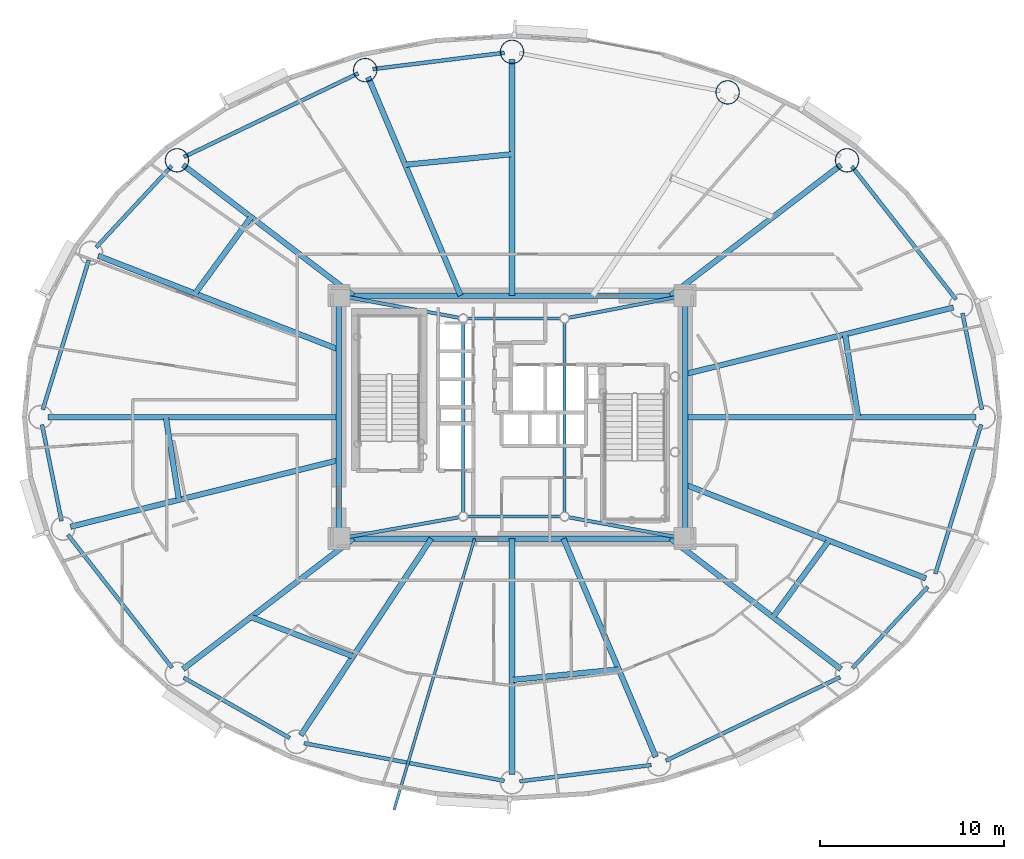
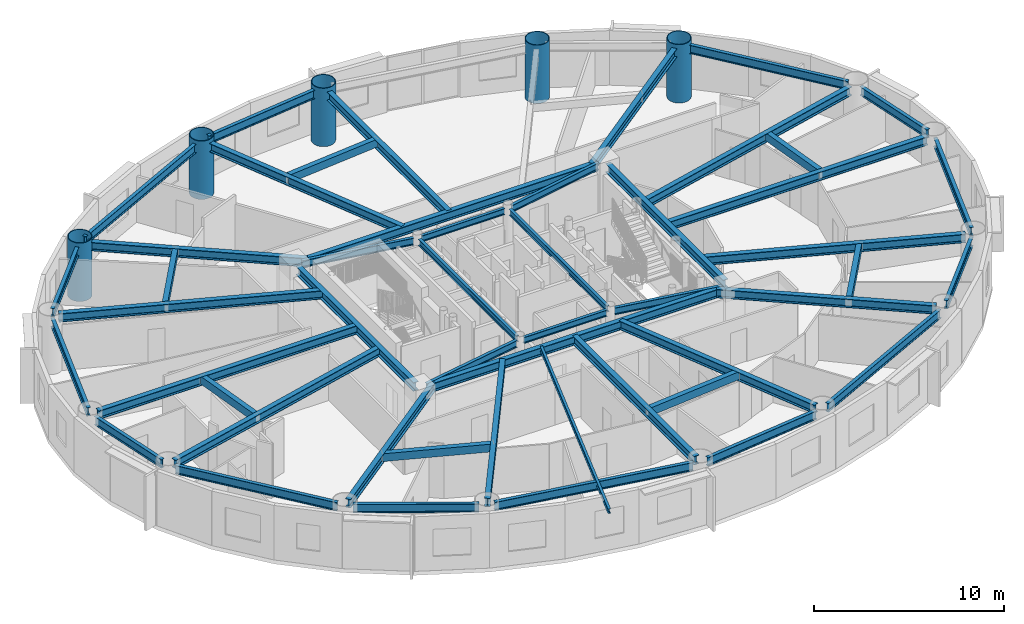
# One storey, part 3 of 21: 49 beams, 5 columns.
"""IFC4 building model written with IfcOpenShell, lengths in metres."""

from ifc_helpers import new_model, si_unit, direction, frame, origin, origin_2d, place, context, subcontext, project, spatial, hollow_rectangle, hollow_circle, i_section, extrude, material, material_profile, profile_set, type_object, element, save


model = new_model("IFC4")

# Units and contexts
model_context = context("Model", 3, precision=1e-05, world=origin(), true_north=direction((0.0, 1.0)))
body_context = subcontext(model_context, "Body", "Model", "MODEL_VIEW")
ifc_project = project(units=[si_unit("LENGTHUNIT", "METRE"), si_unit("AREAUNIT", "SQUARE_METRE"), si_unit("VOLUMEUNIT", "CUBIC_METRE"), si_unit("PLANEANGLEUNIT", "RADIAN"), si_unit("MASSUNIT", "GRAM", prefix="KILO")], contexts=[model_context])

# Site, building, storey
site_placement = place(None, origin())
site = spatial("IfcSite", under=ifc_project, at=site_placement, CompositionType="ELEMENT")
building_placement = place(site_placement, origin())
building = spatial("IfcBuilding", under=site, at=building_placement, Name="Linh Dai School and Residence Tower", CompositionType="ELEMENT")
storey_placement = place(building_placement, frame((0.0, 0.0, 171.14990234375)))
storey = spatial("IfcBuildingStorey", under=building, at=storey_placement, Name="L41", CompositionType="ELEMENT", Elevation=171.14990234375)

# Columns
ifc_material = material(Name="Structural Steel S355JR", Category="steel")
ifc_material_profile_1 = material_profile(ifc_material, hollow_circle(Radius=0.64990234375, WallThickness=0.0400390625, at=origin_2d()), Name="CHS 1300x40")
ifc_profile_set_1 = profile_set([ifc_material_profile_1], Name="Structural Steel S355JR")
column_type = type_object("IfcColumnType", Name="COL-MC4", PredefinedType="COLUMN", material=ifc_profile_set_1)
for number, where, z_axis, x_axis, name in (
    (1, (54.1923828125, 40.941650390625, 0.0), (0.0, 0.0, 1.0), (1.0, 0.0, 0.0), "L41 Perimeter CFT Mega-Column MC03"),
    (2, (47.70556640625, 44.630859375, 0.0), (0.0, 0.0, 1.0), (1.0, 0.0, 0.0), "L41 Perimeter CFT Mega-Column MC04"),
    (3, (36.0, 46.830078125, 0.0), (0.0, 0.0, 1.0), (1.0, 0.0, 0.0), "L41 Perimeter CFT Mega-Column MC05"),
    (4, (28.026611328125, 45.84130859375, 0.0), (0.0, 0.0, 1.0), (1.0, 0.0, 0.0), "L41 Perimeter CFT Mega-Column MC06"),
    (5, (17.8076171875, 40.941650390625, 0.0), (0.0, 0.0, 1.0), (1.0, 0.0, 0.0), "L41 Perimeter CFT Mega-Column MC07"),
):
    element("IfcColumn", number, at=place(storey_placement, frame(where, z_axis=z_axis, x_axis=x_axis)), inside=storey, type_object=column_type, Name=name, PredefinedType="COLUMN", context=body_context, shape_type="SweptSolid", body=[
        extrude(hollow_circle(Radius=0.64990234375, WallThickness=0.0400390625, at=origin_2d()), origin(), (0.0, 0.0, 1.0), 3.75),
    ])

# Beams
ifc_material_profile_2 = material_profile(ifc_material, i_section(OverallWidth=0.14990234375, OverallDepth=0.300048828125, WebThickness=0.007080078125, FlangeThickness=0.0107421875, at=origin_2d()), Name="IPE 300")
ifc_profile_set_2 = profile_set([ifc_material_profile_2], Name="Structural Steel S355JR")
beam_type_1 = type_object("IfcBeamType", Name="BM-BALC-CANT", PredefinedType="BEAM", material=ifc_profile_set_2)
beam_1_placement = place(storey_placement, frame((33.9716796875, 20.39990234375, 3.35009765625), z_axis=(-0.284768682826, -0.958596263962, 0.0), x_axis=(0.958596263962, -0.284768682826, 0.0)))
element("IfcBeam", 6, at=beam_1_placement, inside=storey, type_object=beam_type_1, Name="L42 Balcony Continuous Cantilever Beam 29", PredefinedType="BEAM", context=body_context, shape_type="SweptSolid", body=[
    extrude(i_section(OverallWidth=0.14990234375, OverallDepth=0.300048828125, WebThickness=0.007080078125, FlangeThickness=0.0107421875, at=origin_2d()), origin(), (0.0, 0.0, 1.0), 15.368408203125),
])
ifc_material_profile_3 = material_profile(ifc_material, hollow_rectangle(XDim=0.300048828125, YDim=0.5, WallThickness=0.01611328125, at=origin_2d()), Name="RHS 500x300x16")
ifc_profile_set_3 = profile_set([ifc_material_profile_3], Name="Structural Steel S355JR")
beam_type_2 = type_object("IfcBeamType", Name="BM-BX5", PredefinedType="BEAM", material=ifc_profile_set_3)
beam_2_placement = place(storey_placement, frame((54.795166015625, 27.0048828125, 3.25), z_axis=(-0.15630517468, 0.987708809502, 0.0), x_axis=(-0.987708809502, -0.15630517468, 0.0)))
element("IfcBeam", 7, at=beam_2_placement, inside=storey, type_object=beam_type_2, Name="L41 Secondary Circumferential Floor Beam 01", PredefinedType="BEAM", context=body_context, shape_type="SweptSolid", body=[
    extrude(hollow_rectangle(XDim=0.300048828125, YDim=0.5, WallThickness=0.01611328125, at=origin_2d()), origin(), (0.0, 0.0, 1.0), 4.537353515625),
])
beam_3_placement = place(storey_placement, frame((35.9951171875, 41.27294921875, 3.25), z_axis=(-0.995143022353, -0.098439651878, 0.0), x_axis=(0.098439651878, -0.995143022353, 0.0)))
element("IfcBeam", 8, at=beam_3_placement, inside=storey, type_object=beam_type_2, Name="L41 Secondary Circumferential Floor Beam 03", PredefinedType="BEAM", context=body_context, shape_type="SweptSolid", body=[
    extrude(hollow_rectangle(XDim=0.300048828125, YDim=0.5, WallThickness=0.01611328125, at=origin_2d()), origin(), (0.0, 0.0, 1.0), 5.81591796875),
])
beam_4_placement = place(storey_placement, frame((21.828125, 37.854248046875, 3.25), z_axis=(-0.59077809598, -0.806834085367, 0.0), x_axis=(0.806834085367, -0.59077809598, 0.0)))
element("IfcBeam", 9, at=beam_4_placement, inside=storey, type_object=beam_type_2, Name="L41 Secondary Circumferential Floor Beam 04", PredefinedType="BEAM", context=body_context, shape_type="SweptSolid", body=[
    extrude(hollow_rectangle(XDim=0.300048828125, YDim=0.5, WallThickness=0.01611328125, at=origin_2d()), origin(), (0.0, 0.0, 1.0), 5.134765625),
])
beam_5_placement = place(storey_placement, frame((17.204833984375, 26.9951171875, 3.25), z_axis=(0.15630517468, -0.987708809502, 0.0), x_axis=(0.987708809502, 0.15630517468, 0.0)))
element("IfcBeam", 10, at=beam_5_placement, inside=storey, type_object=beam_type_2, Name="L41 Secondary Circumferential Floor Beam 05", PredefinedType="BEAM", context=body_context, shape_type="SweptSolid", body=[
    extrude(hollow_rectangle(XDim=0.300048828125, YDim=0.5, WallThickness=0.01611328125, at=origin_2d()), origin(), (0.0, 0.0, 1.0), 4.537353515625),
])
beam_6_placement = place(storey_placement, frame((21.8359375, 16.139892578125, 3.25), z_axis=(0.932827710026, -0.360322721193, 0.0), x_axis=(0.360322721193, 0.932827710026, 0.0)))
element("IfcBeam", 11, at=beam_6_placement, inside=storey, type_object=beam_type_2, Name="L41 Secondary Circumferential Floor Beam 06", PredefinedType="BEAM", context=body_context, shape_type="SweptSolid", body=[
    extrude(hollow_rectangle(XDim=0.300048828125, YDim=0.5, WallThickness=0.01611328125, at=origin_2d()), origin(), (0.0, 0.0, 1.0), 5.927978515625),
])
beam_7_placement = place(storey_placement, frame((36.0048828125, 12.72705078125, 3.25), z_axis=(0.995143022353, 0.098439651878, 0.0), x_axis=(-0.098439651878, 0.995143022353, 0.0)))
element("IfcBeam", 12, at=beam_7_placement, inside=storey, type_object=beam_type_2, Name="L41 Secondary Circumferential Floor Beam 07", PredefinedType="BEAM", context=body_context, shape_type="SweptSolid", body=[
    extrude(hollow_rectangle(XDim=0.300048828125, YDim=0.5, WallThickness=0.01611328125, at=origin_2d()), origin(), (0.0, 0.0, 1.0), 5.81591796875),
])
beam_8_placement = place(storey_placement, frame((50.171875, 16.145751953125, 3.25), z_axis=(0.59077809598, 0.806834085367, 0.0), x_axis=(-0.806834085367, 0.59077809598, 0.0)))
element("IfcBeam", 13, at=beam_8_placement, inside=storey, type_object=beam_type_2, Name="L41 Secondary Circumferential Floor Beam 08", PredefinedType="BEAM", context=body_context, shape_type="SweptSolid", body=[
    extrude(hollow_rectangle(XDim=0.300048828125, YDim=0.5, WallThickness=0.01611328125, at=origin_2d()), origin(), (0.0, 0.0, 1.0), 5.134765625),
])
ifc_material_profile_4 = material_profile(ifc_material, i_section(OverallWidth=0.2099609375, OverallDepth=0.550048828125, WebThickness=0.010986328125, FlangeThickness=0.01708984375, FilletRadius=0.02392578125, at=origin_2d()), Name="IPE 550")
ifc_profile_set_4 = profile_set([ifc_material_profile_4], Name="Structural Steel S355JR")
beam_type_3 = type_object("IfcBeamType", Name="BM-RB55", PredefinedType="BEAM", material=ifc_profile_set_4)
beam_9_placement = place(storey_placement, frame((61.5166015625, 27.41162109375, 3.22509765625), z_axis=(-0.198420723955, 0.980116940117, 0.0), x_axis=(-0.980116940117, -0.198420723955, 0.0)))
element("IfcBeam", 14, at=beam_9_placement, inside=storey, type_object=beam_type_3, Name="L41 Perimeter Elliptical Ring Beam 01", PredefinedType="BEAM", context=body_context, shape_type="SweptSolid", body=[
    extrude(i_section(OverallWidth=0.2099609375, OverallDepth=0.550048828125, WebThickness=0.010986328125, FlangeThickness=0.01708984375, FilletRadius=0.02392578125, at=origin_2d()), origin(), (0.0, 0.0, 1.0), 5.33642578125),
])
beam_10_placement = place(storey_placement, frame((60.115478515625, 33.38427734375, 3.22509765625), z_axis=(-0.616852281883, 0.787078942887, 0.0), x_axis=(-0.787078942887, -0.616852281883, 0.0)))
element("IfcBeam", 15, at=beam_10_placement, inside=storey, type_object=beam_type_3, Name="L41 Perimeter Elliptical Ring Beam 02", PredefinedType="BEAM", context=body_context, shape_type="SweptSolid", body=[
    extrude(i_section(OverallWidth=0.2099609375, OverallDepth=0.550048828125, WebThickness=0.010986328125, FlangeThickness=0.01708984375, FilletRadius=0.02392578125, at=origin_2d()), origin(), (0.0, 0.0, 1.0), 9.181884765625),
])
beam_11_placement = place(storey_placement, frame((35.583251953125, 46.7783203125, 3.22509765625), z_axis=(-0.992400597975, -0.123048986741, 0.0), x_axis=(0.123048986741, -0.992400597975, 0.0)))
element("IfcBeam", 16, at=beam_11_placement, inside=storey, type_object=beam_type_3, Name="L41 Perimeter Elliptical Ring Beam 05", PredefinedType="BEAM", context=body_context, shape_type="SweptSolid", body=[
    extrude(i_section(OverallWidth=0.2099609375, OverallDepth=0.550048828125, WebThickness=0.010986328125, FlangeThickness=0.01708984375, FilletRadius=0.02392578125, at=origin_2d()), origin(), (0.0, 0.0, 1.0), 7.1943359375),
])
beam_12_placement = place(storey_placement, frame((27.64794921875, 45.659912109375, 3.22509765625), z_axis=(-0.901708141823, -0.432345263614, 0.0), x_axis=(0.432345263614, -0.901708141823, 0.0)))
element("IfcBeam", 17, at=beam_12_placement, inside=storey, type_object=beam_type_3, Name="L41 Perimeter Elliptical Ring Beam 06", PredefinedType="BEAM", context=body_context, shape_type="SweptSolid", body=[
    extrude(i_section(OverallWidth=0.2099609375, OverallDepth=0.550048828125, WebThickness=0.010986328125, FlangeThickness=0.01708984375, FilletRadius=0.02392578125, at=origin_2d()), origin(), (0.0, 0.0, 1.0), 10.4931640625),
])
beam_13_placement = place(storey_placement, frame((17.521728515625, 40.6337890625, 3.22509765625), z_axis=(-0.680378035197, -0.732861330145, 0.0), x_axis=(0.732861330145, -0.680378035197, 0.0)))
element("IfcBeam", 18, at=beam_13_placement, inside=storey, type_object=beam_type_3, Name="L41 Perimeter Elliptical Ring Beam 07", PredefinedType="BEAM", context=body_context, shape_type="SweptSolid", body=[
    extrude(i_section(OverallWidth=0.2099609375, OverallDepth=0.550048828125, WebThickness=0.010986328125, FlangeThickness=0.01708984375, FilletRadius=0.02392578125, at=origin_2d()), origin(), (0.0, 0.0, 1.0), 6.024169921875),
])
beam_14_placement = place(storey_placement, frame((13.01416015625, 35.509765625, 3.22509765625), z_axis=(-0.29363681283, -0.955917058196, 0.0), x_axis=(0.955917058196, -0.29363681283, 0.0)))
element("IfcBeam", 19, at=beam_14_placement, inside=storey, type_object=beam_type_3, Name="L41 Perimeter Elliptical Ring Beam 08", PredefinedType="BEAM", context=body_context, shape_type="SweptSolid", body=[
    extrude(i_section(OverallWidth=0.2099609375, OverallDepth=0.550048828125, WebThickness=0.010986328125, FlangeThickness=0.01708984375, FilletRadius=0.02392578125, at=origin_2d()), origin(), (0.0, 0.0, 1.0), 8.482421875),
])
beam_15_placement = place(storey_placement, frame((10.4833984375, 26.58837890625, 3.22509765625), z_axis=(0.198420723955, -0.980116940117, 0.0), x_axis=(0.980116940117, 0.198420723955, 0.0)))
element("IfcBeam", 20, at=beam_15_placement, inside=storey, type_object=beam_type_3, Name="L41 Perimeter Elliptical Ring Beam 09", PredefinedType="BEAM", context=body_context, shape_type="SweptSolid", body=[
    extrude(i_section(OverallWidth=0.2099609375, OverallDepth=0.550048828125, WebThickness=0.010986328125, FlangeThickness=0.01708984375, FilletRadius=0.02392578125, at=origin_2d()), origin(), (0.0, 0.0, 1.0), 5.33642578125),
])
beam_16_placement = place(storey_placement, frame((11.884521484375, 20.61572265625, 3.22509765625), z_axis=(0.616852281883, -0.787078942887, 0.0), x_axis=(0.787078942887, 0.616852281883, 0.0)))
element("IfcBeam", 21, at=beam_16_placement, inside=storey, type_object=beam_type_3, Name="L41 Perimeter Elliptical Ring Beam 10", PredefinedType="BEAM", context=body_context, shape_type="SweptSolid", body=[
    extrude(i_section(OverallWidth=0.2099609375, OverallDepth=0.550048828125, WebThickness=0.010986328125, FlangeThickness=0.01708984375, FilletRadius=0.02392578125, at=origin_2d()), origin(), (0.0, 0.0, 1.0), 9.181884765625),
])
beam_17_placement = place(storey_placement, frame((18.172607421875, 12.8505859375, 3.22509765625), z_axis=(0.869262164011, -0.49435138335, 0.0), x_axis=(0.49435138335, 0.869262164011, 0.0)))
element("IfcBeam", 22, at=beam_17_placement, inside=storey, type_object=beam_type_3, Name="L41 Perimeter Elliptical Ring Beam 11", PredefinedType="BEAM", context=body_context, shape_type="SweptSolid", body=[
    extrude(i_section(OverallWidth=0.2099609375, OverallDepth=0.550048828125, WebThickness=0.010986328125, FlangeThickness=0.01708984375, FilletRadius=0.02392578125, at=origin_2d()), origin(), (0.0, 0.0, 1.0), 6.62255859375),
])
beam_18_placement = place(storey_placement, frame((24.707275390625, 9.29150390625, 3.22509765625), z_axis=(0.98280721278, -0.184634727255, 0.0), x_axis=(0.184634727255, 0.98280721278, 0.0)))
element("IfcBeam", 23, at=beam_18_placement, inside=storey, type_object=beam_type_3, Name="L41 Perimeter Elliptical Ring Beam 12", PredefinedType="BEAM", context=body_context, shape_type="SweptSolid", body=[
    extrude(i_section(OverallWidth=0.2099609375, OverallDepth=0.550048828125, WebThickness=0.010986328125, FlangeThickness=0.01708984375, FilletRadius=0.02392578125, at=origin_2d()), origin(), (0.0, 0.0, 1.0), 11.0703125),
])
beam_19_placement = place(storey_placement, frame((36.416748046875, 7.2216796875, 3.22509765625), z_axis=(0.992400597975, 0.123048986741, 0.0), x_axis=(-0.123048986741, 0.992400597975, 0.0)))
element("IfcBeam", 24, at=beam_19_placement, inside=storey, type_object=beam_type_3, Name="L41 Perimeter Elliptical Ring Beam 13", PredefinedType="BEAM", context=body_context, shape_type="SweptSolid", body=[
    extrude(i_section(OverallWidth=0.2099609375, OverallDepth=0.550048828125, WebThickness=0.010986328125, FlangeThickness=0.01708984375, FilletRadius=0.02392578125, at=origin_2d()), origin(), (0.0, 0.0, 1.0), 7.1943359375),
])
beam_20_placement = place(storey_placement, frame((44.35205078125, 8.340087890625, 3.22509765625), z_axis=(0.901708141823, 0.432345263614, 0.0), x_axis=(-0.432345263614, 0.901708141823, 0.0)))
element("IfcBeam", 25, at=beam_20_placement, inside=storey, type_object=beam_type_3, Name="L41 Perimeter Elliptical Ring Beam 14", PredefinedType="BEAM", context=body_context, shape_type="SweptSolid", body=[
    extrude(i_section(OverallWidth=0.2099609375, OverallDepth=0.550048828125, WebThickness=0.010986328125, FlangeThickness=0.01708984375, FilletRadius=0.02392578125, at=origin_2d()), origin(), (0.0, 0.0, 1.0), 10.4931640625),
])
beam_21_placement = place(storey_placement, frame((54.478271484375, 13.3662109375, 3.22509765625), z_axis=(0.680378035197, 0.732861330145, 0.0), x_axis=(-0.732861330145, 0.680378035197, 0.0)))
element("IfcBeam", 26, at=beam_21_placement, inside=storey, type_object=beam_type_3, Name="L41 Perimeter Elliptical Ring Beam 15", PredefinedType="BEAM", context=body_context, shape_type="SweptSolid", body=[
    extrude(i_section(OverallWidth=0.2099609375, OverallDepth=0.550048828125, WebThickness=0.010986328125, FlangeThickness=0.01708984375, FilletRadius=0.02392578125, at=origin_2d()), origin(), (0.0, 0.0, 1.0), 6.024169921875),
])
beam_22_placement = place(storey_placement, frame((58.98583984375, 18.490234375, 3.22509765625), z_axis=(0.29363681283, 0.955917058196, 0.0), x_axis=(-0.955917058196, 0.29363681283, 0.0)))
element("IfcBeam", 27, at=beam_22_placement, inside=storey, type_object=beam_type_3, Name="L41 Perimeter Elliptical Ring Beam 16", PredefinedType="BEAM", context=body_context, shape_type="SweptSolid", body=[
    extrude(i_section(OverallWidth=0.2099609375, OverallDepth=0.550048828125, WebThickness=0.010986328125, FlangeThickness=0.01708984375, FilletRadius=0.02392578125, at=origin_2d()), origin(), (0.0, 0.0, 1.0), 8.482421875),
])
ifc_material_profile_5 = material_profile(ifc_material, i_section(OverallWidth=0.300048828125, OverallDepth=0.550048828125, WebThickness=0.014892578125, FlangeThickness=0.029052734375, FilletRadius=0.027099609375, at=origin_2d()), Name="HEB 550")
ifc_profile_set_5 = profile_set([ifc_material_profile_5], Name="Structural Steel S355JR")
beam_type_4 = type_object("IfcBeamType", Name="BM-RG55", PredefinedType="BEAM", material=ifc_profile_set_5)
beam_23_placement = place(storey_placement, frame((27.02001953125, 20.39990234375, 3.22509765625), z_axis=(1.0, 0.0, 0.0), x_axis=(0.0, 1.0, 0.0)))
element("IfcBeam", 28, at=beam_23_placement, inside=storey, type_object=beam_type_4, Name="L41 Core Perimeter Coupling Girder 1", PredefinedType="BEAM", context=body_context, shape_type="SweptSolid", body=[
    extrude(i_section(OverallWidth=0.300048828125, OverallDepth=0.550048828125, WebThickness=0.014892578125, FlangeThickness=0.029052734375, FilletRadius=0.027099609375, at=origin_2d()), origin(), (0.0, 0.0, 1.0), 17.9599609375),
])
beam_24_placement = place(storey_placement, frame((45.39990234375, 20.820068359375, 3.22509765625), z_axis=(0.0, 1.0, 0.0), x_axis=(-1.0, 0.0, 0.0)))
element("IfcBeam", 29, at=beam_24_placement, inside=storey, type_object=beam_type_4, Name="L41 Core Perimeter Coupling Girder 2", PredefinedType="BEAM", context=body_context, shape_type="SweptSolid", body=[
    extrude(i_section(OverallWidth=0.300048828125, OverallDepth=0.550048828125, WebThickness=0.014892578125, FlangeThickness=0.029052734375, FilletRadius=0.027099609375, at=origin_2d()), origin(), (0.0, 0.0, 1.0), 12.35986328125),
])
beam_25_placement = place(storey_placement, frame((44.97998046875, 33.60009765625, 3.22509765625), z_axis=(-1.0, 0.0, 0.0), x_axis=(0.0, -1.0, 0.0)))
element("IfcBeam", 30, at=beam_25_placement, inside=storey, type_object=beam_type_4, Name="L41 Core Perimeter Coupling Girder 3", PredefinedType="BEAM", context=body_context, shape_type="SweptSolid", body=[
    extrude(i_section(OverallWidth=0.300048828125, OverallDepth=0.550048828125, WebThickness=0.014892578125, FlangeThickness=0.029052734375, FilletRadius=0.027099609375, at=origin_2d()), origin(), (0.0, 0.0, 1.0), 17.9599609375),
])
beam_26_placement = place(storey_placement, frame((26.60009765625, 33.179931640625, 3.22509765625), z_axis=(0.0, -1.0, 0.0), x_axis=(1.0, 0.0, 0.0)))
element("IfcBeam", 31, at=beam_26_placement, inside=storey, type_object=beam_type_4, Name="L41 Core Perimeter Coupling Girder 4", PredefinedType="BEAM", context=body_context, shape_type="SweptSolid", body=[
    extrude(i_section(OverallWidth=0.300048828125, OverallDepth=0.550048828125, WebThickness=0.014892578125, FlangeThickness=0.029052734375, FilletRadius=0.027099609375, at=origin_2d()), origin(), (0.0, 0.0, 1.0), 12.35986328125),
])
beam_27_placement = place(storey_placement, frame((45.39990234375, 27.0, 3.22509765625), z_axis=(1.0, 0.0, 0.0), x_axis=(0.0, 1.0, 0.0)))
element("IfcBeam", 32, at=beam_27_placement, inside=storey, type_object=beam_type_4, Name="L41 Primary Radial Floor Girder 01", PredefinedType="BEAM", context=body_context, shape_type="SweptSolid", body=[
    extrude(i_section(OverallWidth=0.300048828125, OverallDepth=0.550048828125, WebThickness=0.014892578125, FlangeThickness=0.029052734375, FilletRadius=0.027099609375, at=origin_2d()), origin(), (0.0, 0.0, 1.0), 15.780029296875),
])
beam_28_placement = place(storey_placement, frame((45.39990234375, 29.33447265625, 3.22509765625), z_axis=(0.970514508209, 0.24104271272, 0.0), x_axis=(-0.24104271272, 0.970514508209, 0.0)))
element("IfcBeam", 33, at=beam_28_placement, inside=storey, type_object=beam_type_4, Name="L41 Primary Radial Floor Girder 02", PredefinedType="BEAM", context=body_context, shape_type="SweptSolid", body=[
    extrude(i_section(OverallWidth=0.300048828125, OverallDepth=0.550048828125, WebThickness=0.014892578125, FlangeThickness=0.029052734375, FilletRadius=0.027099609375, at=origin_2d()), origin(), (0.0, 0.0, 1.0), 15.009521484375),
])
beam_29_placement = place(storey_placement, frame((44.6123046875, 33.60009765625, 3.22509765625), z_axis=(0.793732831925, 0.608266546445, 0.0), x_axis=(-0.608266546445, 0.793732831925, 0.0)))
element("IfcBeam", 34, at=beam_29_placement, inside=storey, type_object=beam_type_4, Name="L41 Primary Radial Floor Girder 03", PredefinedType="BEAM", context=body_context, shape_type="SweptSolid", body=[
    extrude(i_section(OverallWidth=0.300048828125, OverallDepth=0.550048828125, WebThickness=0.014892578125, FlangeThickness=0.029052734375, FilletRadius=0.027099609375, at=origin_2d()), origin(), (0.0, 0.0, 1.0), 11.64990234375),
])
beam_30_placement = place(storey_placement, frame((36.0, 33.60009765625, 3.22509765625), z_axis=(0.0, 1.0, 0.0), x_axis=(-1.0, 0.0, 0.0)))
element("IfcBeam", 35, at=beam_30_placement, inside=storey, type_object=beam_type_4, Name="L41 Primary Radial Floor Girder 05", PredefinedType="BEAM", context=body_context, shape_type="SweptSolid", body=[
    extrude(i_section(OverallWidth=0.300048828125, OverallDepth=0.550048828125, WebThickness=0.014892578125, FlangeThickness=0.029052734375, FilletRadius=0.027099609375, at=origin_2d()), origin(), (0.0, 0.0, 1.0), 12.809814453125),
])
beam_31_placement = place(storey_placement, frame((33.20703125, 33.60009765625, 3.22509765625), z_axis=(-0.389721661447, 0.920932693849, 0.0), x_axis=(-0.920932693849, -0.389721661447, 0.0)))
element("IfcBeam", 36, at=beam_31_placement, inside=storey, type_object=beam_type_4, Name="L41 Primary Radial Floor Girder 06", PredefinedType="BEAM", context=body_context, shape_type="SweptSolid", body=[
    extrude(i_section(OverallWidth=0.300048828125, OverallDepth=0.550048828125, WebThickness=0.014892578125, FlangeThickness=0.029052734375, FilletRadius=0.027099609375, at=origin_2d()), origin(), (0.0, 0.0, 1.0), 12.872314453125),
])
beam_32_placement = place(storey_placement, frame((27.3876953125, 33.60009765625, 3.22509765625), z_axis=(-0.793732831925, 0.608266546445, 0.0), x_axis=(-0.608266546445, -0.793732831925, 0.0)))
element("IfcBeam", 37, at=beam_32_placement, inside=storey, type_object=beam_type_4, Name="L41 Primary Radial Floor Girder 07", PredefinedType="BEAM", context=body_context, shape_type="SweptSolid", body=[
    extrude(i_section(OverallWidth=0.300048828125, OverallDepth=0.550048828125, WebThickness=0.014892578125, FlangeThickness=0.029052734375, FilletRadius=0.027099609375, at=origin_2d()), origin(), (0.0, 0.0, 1.0), 11.64990234375),
])
beam_33_placement = place(storey_placement, frame((26.60009765625, 30.663818359375, 3.22509765625), z_axis=(-0.931722873254, 0.363170053081, 0.0), x_axis=(-0.363170053081, -0.931722873254, 0.0)))
element("IfcBeam", 38, at=beam_33_placement, inside=storey, type_object=beam_type_4, Name="L41 Primary Radial Floor Girder 08", PredefinedType="BEAM", context=body_context, shape_type="SweptSolid", body=[
    extrude(i_section(OverallWidth=0.300048828125, OverallDepth=0.550048828125, WebThickness=0.014892578125, FlangeThickness=0.029052734375, FilletRadius=0.027099609375, at=origin_2d()), origin(), (0.0, 0.0, 1.0), 14.029052734375),
])
beam_34_placement = place(storey_placement, frame((26.60009765625, 27.0, 3.22509765625), z_axis=(-1.0, 0.0, 0.0), x_axis=(0.0, -1.0, 0.0)))
element("IfcBeam", 39, at=beam_34_placement, inside=storey, type_object=beam_type_4, Name="L41 Primary Radial Floor Girder 09", PredefinedType="BEAM", context=body_context, shape_type="SweptSolid", body=[
    extrude(i_section(OverallWidth=0.300048828125, OverallDepth=0.550048828125, WebThickness=0.014892578125, FlangeThickness=0.029052734375, FilletRadius=0.027099609375, at=origin_2d()), origin(), (0.0, 0.0, 1.0), 15.780029296875),
])
beam_35_placement = place(storey_placement, frame((26.60009765625, 24.66552734375, 3.22509765625), z_axis=(-0.970514508209, -0.24104271272, 0.0), x_axis=(0.24104271272, -0.970514508209, 0.0)))
element("IfcBeam", 40, at=beam_35_placement, inside=storey, type_object=beam_type_4, Name="L41 Primary Radial Floor Girder 10", PredefinedType="BEAM", context=body_context, shape_type="SweptSolid", body=[
    extrude(i_section(OverallWidth=0.300048828125, OverallDepth=0.550048828125, WebThickness=0.014892578125, FlangeThickness=0.029052734375, FilletRadius=0.027099609375, at=origin_2d()), origin(), (0.0, 0.0, 1.0), 15.009521484375),
])
beam_36_placement = place(storey_placement, frame((27.3876953125, 20.39990234375, 3.22509765625), z_axis=(-0.793732831925, -0.608266546445, 0.0), x_axis=(0.608266546445, -0.793732831925, 0.0)))
element("IfcBeam", 41, at=beam_36_placement, inside=storey, type_object=beam_type_4, Name="L41 Primary Radial Floor Girder 11", PredefinedType="BEAM", context=body_context, shape_type="SweptSolid", body=[
    extrude(i_section(OverallWidth=0.300048828125, OverallDepth=0.550048828125, WebThickness=0.014892578125, FlangeThickness=0.029052734375, FilletRadius=0.027099609375, at=origin_2d()), origin(), (0.0, 0.0, 1.0), 11.64990234375),
])
beam_37_placement = place(storey_placement, frame((31.6181640625, 20.39990234375, 3.22509765625), z_axis=(-0.553117176317, -0.833103468522, 0.0), x_axis=(0.833103468522, -0.553117176317, 0.0)))
element("IfcBeam", 42, at=beam_37_placement, inside=storey, type_object=beam_type_4, Name="L41 Primary Radial Floor Girder 12", PredefinedType="BEAM", context=body_context, shape_type="SweptSolid", body=[
    extrude(i_section(OverallWidth=0.300048828125, OverallDepth=0.550048828125, WebThickness=0.014892578125, FlangeThickness=0.029052734375, FilletRadius=0.027099609375, at=origin_2d()), origin(), (0.0, 0.0, 1.0), 12.820556640625),
])
beam_38_placement = place(storey_placement, frame((36.0, 20.39990234375, 3.22509765625), z_axis=(0.0, -1.0, 0.0), x_axis=(1.0, 0.0, 0.0)))
element("IfcBeam", 43, at=beam_38_placement, inside=storey, type_object=beam_type_4, Name="L41 Primary Radial Floor Girder 13", PredefinedType="BEAM", context=body_context, shape_type="SweptSolid", body=[
    extrude(i_section(OverallWidth=0.300048828125, OverallDepth=0.550048828125, WebThickness=0.014892578125, FlangeThickness=0.029052734375, FilletRadius=0.027099609375, at=origin_2d()), origin(), (0.0, 0.0, 1.0), 12.809814453125),
])
beam_39_placement = place(storey_placement, frame((38.79296875, 20.39990234375, 3.22509765625), z_axis=(0.389721661447, -0.920932693849, 0.0), x_axis=(0.920932693849, 0.389721661447, 0.0)))
element("IfcBeam", 44, at=beam_39_placement, inside=storey, type_object=beam_type_4, Name="L41 Primary Radial Floor Girder 14", PredefinedType="BEAM", context=body_context, shape_type="SweptSolid", body=[
    extrude(i_section(OverallWidth=0.300048828125, OverallDepth=0.550048828125, WebThickness=0.014892578125, FlangeThickness=0.029052734375, FilletRadius=0.027099609375, at=origin_2d()), origin(), (0.0, 0.0, 1.0), 12.872314453125),
])
beam_40_placement = place(storey_placement, frame((44.6123046875, 20.39990234375, 3.22509765625), z_axis=(0.793732831925, -0.608266546445, 0.0), x_axis=(0.608266546445, 0.793732831925, 0.0)))
element("IfcBeam", 45, at=beam_40_placement, inside=storey, type_object=beam_type_4, Name="L41 Primary Radial Floor Girder 15", PredefinedType="BEAM", context=body_context, shape_type="SweptSolid", body=[
    extrude(i_section(OverallWidth=0.300048828125, OverallDepth=0.550048828125, WebThickness=0.014892578125, FlangeThickness=0.029052734375, FilletRadius=0.027099609375, at=origin_2d()), origin(), (0.0, 0.0, 1.0), 11.64990234375),
])
beam_41_placement = place(storey_placement, frame((45.39990234375, 23.336181640625, 3.22509765625), z_axis=(0.931722873254, -0.363170053081, 0.0), x_axis=(0.363170053081, 0.931722873254, 0.0)))
element("IfcBeam", 46, at=beam_41_placement, inside=storey, type_object=beam_type_4, Name="L41 Primary Radial Floor Girder 16", PredefinedType="BEAM", context=body_context, shape_type="SweptSolid", body=[
    extrude(i_section(OverallWidth=0.300048828125, OverallDepth=0.550048828125, WebThickness=0.014892578125, FlangeThickness=0.029052734375, FilletRadius=0.027099609375, at=origin_2d()), origin(), (0.0, 0.0, 1.0), 14.029052734375),
])
ifc_material_profile_6 = material_profile(ifc_material, i_section(OverallWidth=0.179931640625, OverallDepth=0.39990234375, WebThickness=0.008544921875, FlangeThickness=0.013427734375, FilletRadius=0.02099609375, at=origin_2d()), Name="IPE 400")
ifc_profile_set_6 = profile_set([ifc_material_profile_6], Name="Structural Steel S355JR")
beam_type_5 = type_object("IfcBeamType", Name="BM-SB40", PredefinedType="BEAM", material=ifc_profile_set_6)
beam_42_placement = place(storey_placement, frame((33.573974609375, 21.60009765625, 3.300048828125), z_axis=(1.0, 0.0, 0.0), x_axis=(0.0, 1.0, 0.0)))
element("IfcBeam", 47, at=beam_42_placement, inside=storey, type_object=beam_type_5, Name="L41 Core Mast Pier Tie Beam 1", PredefinedType="BEAM", context=body_context, shape_type="SweptSolid", body=[
    extrude(i_section(OverallWidth=0.179931640625, OverallDepth=0.39990234375, WebThickness=0.008544921875, FlangeThickness=0.013427734375, FilletRadius=0.02099609375, at=origin_2d()), origin(), (0.0, 0.0, 1.0), 5.052001953125),
])
beam_43_placement = place(storey_placement, frame((38.85009765625, 21.823974609375, 3.300048828125), z_axis=(0.0, 1.0, 0.0), x_axis=(-1.0, 0.0, 0.0)))
element("IfcBeam", 48, at=beam_43_placement, inside=storey, type_object=beam_type_5, Name="L41 Core Mast Pier Tie Beam 2", PredefinedType="BEAM", context=body_context, shape_type="SweptSolid", body=[
    extrude(i_section(OverallWidth=0.179931640625, OverallDepth=0.39990234375, WebThickness=0.008544921875, FlangeThickness=0.013427734375, FilletRadius=0.02099609375, at=origin_2d()), origin(), (0.0, 0.0, 1.0), 10.302001953125),
])
beam_44_placement = place(storey_placement, frame((38.6259765625, 32.35009765625, 3.300048828125), z_axis=(-1.0, 0.0, 0.0), x_axis=(0.0, -1.0, 0.0)))
element("IfcBeam", 49, at=beam_44_placement, inside=storey, type_object=beam_type_5, Name="L41 Core Mast Pier Tie Beam 3", PredefinedType="BEAM", context=body_context, shape_type="SweptSolid", body=[
    extrude(i_section(OverallWidth=0.179931640625, OverallDepth=0.39990234375, WebThickness=0.008544921875, FlangeThickness=0.013427734375, FilletRadius=0.02099609375, at=origin_2d()), origin(), (0.0, 0.0, 1.0), 5.052001953125),
])
beam_45_placement = place(storey_placement, frame((33.35009765625, 32.1259765625, 3.300048828125), z_axis=(0.0, -1.0, 0.0), x_axis=(1.0, 0.0, 0.0)))
element("IfcBeam", 50, at=beam_45_placement, inside=storey, type_object=beam_type_5, Name="L41 Core Mast Pier Tie Beam 4", PredefinedType="BEAM", context=body_context, shape_type="SweptSolid", body=[
    extrude(i_section(OverallWidth=0.179931640625, OverallDepth=0.39990234375, WebThickness=0.008544921875, FlangeThickness=0.013427734375, FilletRadius=0.02099609375, at=origin_2d()), origin(), (0.0, 0.0, 1.0), 10.302001953125),
])
ifc_material_profile_7 = material_profile(ifc_material, i_section(OverallWidth=0.18994140625, OverallDepth=0.449951171875, WebThickness=0.009521484375, FlangeThickness=0.0146484375, FilletRadius=0.02099609375, at=origin_2d()), Name="IPE 450")
ifc_profile_set_7 = profile_set([ifc_material_profile_7], Name="Structural Steel S355JR")
beam_type_6 = type_object("IfcBeamType", Name="BM-SB45", PredefinedType="BEAM", material=ifc_profile_set_7)
beam_46_placement = place(storey_placement, frame((27.013427734375, 20.4736328125, 3.275146484375), z_axis=(0.984565969371, 0.175013862185, 0.0), x_axis=(-0.175013862185, 0.984565969371, 0.0)))
element("IfcBeam", 51, at=beam_46_placement, inside=storey, type_object=beam_type_6, Name="L41 Core Corner-to-Mast Pier Beam 1", PredefinedType="BEAM", context=body_context, shape_type="SweptSolid", body=[
    extrude(i_section(OverallWidth=0.18994140625, OverallDepth=0.449951171875, WebThickness=0.009521484375, FlangeThickness=0.0146484375, FilletRadius=0.02099609375, at=origin_2d()), origin(), (0.0, 0.0, 1.0), 6.2119140625),
])
beam_47_placement = place(storey_placement, frame((44.98681640625, 20.4755859375, 3.275146484375), z_axis=(-0.983627428732, 0.180213987933, 0.0), x_axis=(-0.180213987933, -0.983627428732, 0.0)))
element("IfcBeam", 52, at=beam_47_placement, inside=storey, type_object=beam_type_6, Name="L41 Core Corner-to-Mast Pier Beam 2", PredefinedType="BEAM", context=body_context, shape_type="SweptSolid", body=[
    extrude(i_section(OverallWidth=0.18994140625, OverallDepth=0.449951171875, WebThickness=0.009521484375, FlangeThickness=0.0146484375, FilletRadius=0.02099609375, at=origin_2d()), origin(), (0.0, 0.0, 1.0), 6.014892578125),
])
beam_48_placement = place(storey_placement, frame((44.987548828125, 33.521240234375, 3.275146484375), z_axis=(-0.982277147686, -0.187434268836, 0.0), x_axis=(0.187434268836, -0.982277147686, 0.0)))
element("IfcBeam", 53, at=beam_48_placement, inside=storey, type_object=beam_type_6, Name="L41 Core Corner-to-Mast Pier Beam 3", PredefinedType="BEAM", context=body_context, shape_type="SweptSolid", body=[
    extrude(i_section(OverallWidth=0.18994140625, OverallDepth=0.449951171875, WebThickness=0.009521484375, FlangeThickness=0.0146484375, FilletRadius=0.02099609375, at=origin_2d()), origin(), (0.0, 0.0, 1.0), 6.024169921875),
])
beam_49_placement = place(storey_placement, frame((27.012939453125, 33.5234375, 3.275146484375), z_axis=(0.983286429055, -0.182065368579, 0.0), x_axis=(0.182065368579, 0.983286429055, 0.0)))
element("IfcBeam", 54, at=beam_49_placement, inside=storey, type_object=beam_type_6, Name="L41 Core Corner-to-Mast Pier Beam 4", PredefinedType="BEAM", context=body_context, shape_type="SweptSolid", body=[
    extrude(i_section(OverallWidth=0.18994140625, OverallDepth=0.449951171875, WebThickness=0.009521484375, FlangeThickness=0.0146484375, FilletRadius=0.02099609375, at=origin_2d()), origin(), (0.0, 0.0, 1.0), 6.220703125),
])

save(model, "model.ifc")
